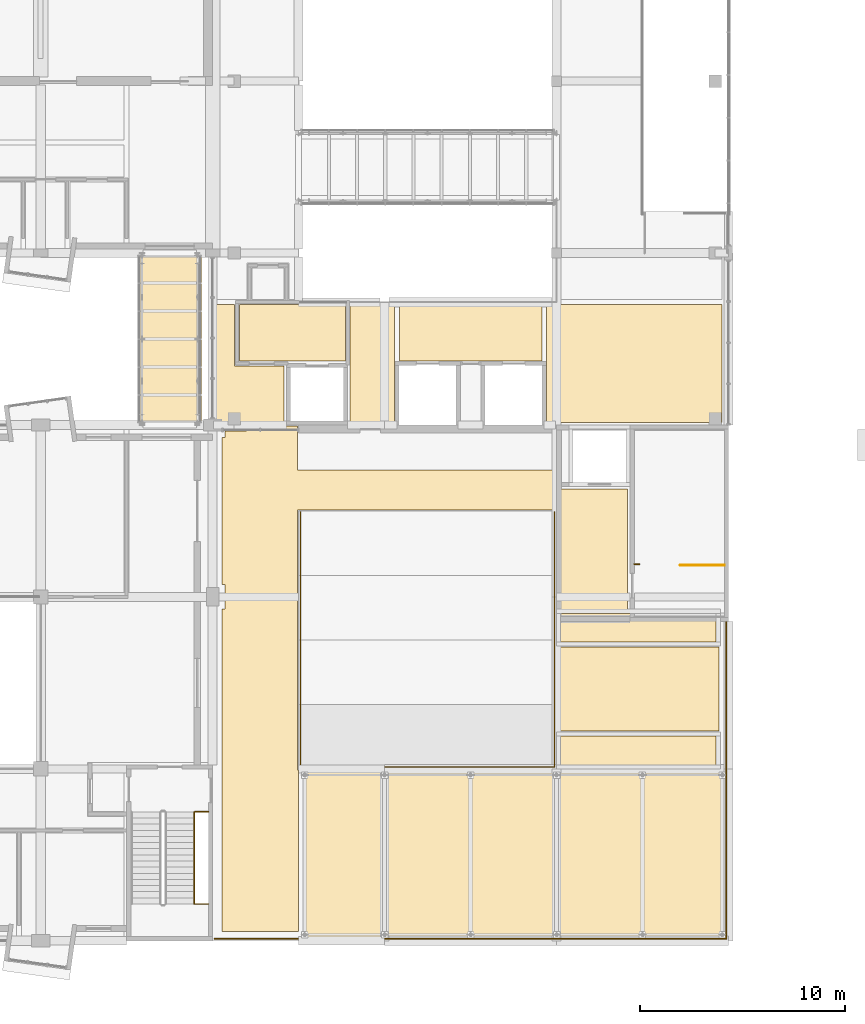
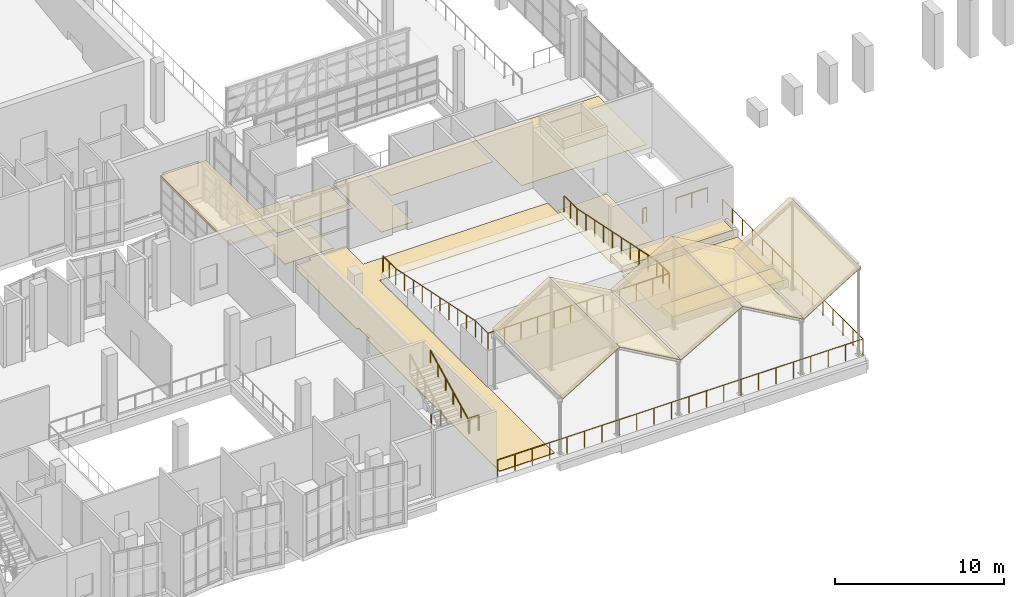
# One storey, part 61 of 67: 16 coverings, 7 railings.
"""IFC4 building model written with IfcOpenShell, lengths in metres."""

from ifc_helpers import new_model, si_unit, direction, frame, origin, origin_2d, place, context, subcontext, project, spatial, polyline, circle, outline, extrude, material, layer, layer_set, type_object, element, save


model = new_model("IFC4")

# Units and contexts
model_context = context("Model", 3, precision=1e-05, world=origin(), true_north=direction((0.0, 1.0)))
body_context = subcontext(model_context, "Body", "Model", "MODEL_VIEW")
ifc_project = project(units=[si_unit("LENGTHUNIT", "METRE"), si_unit("AREAUNIT", "SQUARE_METRE"), si_unit("VOLUMEUNIT", "CUBIC_METRE"), si_unit("PLANEANGLEUNIT", "RADIAN"), si_unit("MASSUNIT", "GRAM", prefix="KILO")], contexts=[model_context])

# Site, building, storey
site_placement = place(None, origin())
site = spatial("IfcSite", under=ifc_project, at=site_placement, CompositionType="ELEMENT")
building_placement = place(site_placement, origin())
building = spatial("IfcBuilding", under=site, at=building_placement, Name="Kiln Court Media Centre", CompositionType="ELEMENT")
storey_placement = place(building_placement, frame((0.0, 0.0, 19.800048828125)))
storey = spatial("IfcBuildingStorey", under=building, at=storey_placement, Name="L04", CompositionType="ELEMENT", Elevation=19.800048828125)

# Coverings
ifc_material_1 = material(Name="Steel ASTM A572 Gr 50 with insulated core", Category="steel")
ifc_layer_1 = layer(ifc_material_1, 0.14990234375)
ifc_layer_set_1 = layer_set([ifc_layer_1], Name="Insulated steel sandwich bridge roof 150")
covering_type_1 = type_object("IfcCoveringType", Name="Insulated steel sandwich bridge roof 150", PredefinedType="ROOFING", material=ifc_layer_set_1)
covering_1_placement = place(storey_placement, frame((0.0, 0.0, 2.675048828125)))
element("IfcCovering", 1, at=covering_1_placement, inside=storey, type_object=covering_type_1, Name="BR-2 roof", PredefinedType="ROOFING", context=body_context, shape_type="SweptSolid", body=[
    extrude(outline(polyline([(29.945068359375, 25.300048828125), (33.054931640625, 25.300048828125), (33.054931640625, 33.5), (29.945068359375, 33.5), (29.945068359375, 25.300048828125)])), origin(), (0.0, 0.0, 1.0), 0.14990234375),
])
ifc_material_2 = material(Name="Planting soil")
ifc_layer_2 = layer(ifc_material_2, 0.449951171875)
ifc_layer_set_2 = layer_set([ifc_layer_2], Name="Planting soil and planting 450")
covering_type_2 = type_object("IfcCoveringType", Name="Planting soil and planting 450", PredefinedType="USERDEFINED", material=ifc_layer_set_2)
covering_2_placement = place(storey_placement, origin())
element("IfcCovering", 2, at=covering_2_placement, inside=storey, type_object=covering_type_2, Name="PLANTER 1 soil and planting", ObjectType="PLANTING", PredefinedType="USERDEFINED", context=body_context, shape_type="SweptSolid", body=[
    extrude(outline(polyline([(50.60009765625, 8.60009765625), (58.199951171875, 8.60009765625), (58.199951171875, 10.0), (50.60009765625, 10.0), (50.60009765625, 8.60009765625)])), origin(), (0.0, 0.0, 1.0), 0.449951171875),
])
covering_3_placement = place(storey_placement, origin())
element("IfcCovering", 3, at=covering_3_placement, inside=storey, type_object=covering_type_2, Name="PLANTER 2 soil and planting", ObjectType="PLANTING", PredefinedType="USERDEFINED", context=body_context, shape_type="SweptSolid", body=[
    extrude(outline(polyline([(50.60009765625, 14.60009765625), (58.199951171875, 14.60009765625), (58.199951171875, 16.0), (50.60009765625, 16.0), (50.60009765625, 14.60009765625)])), origin(), (0.0, 0.0, 1.0), 0.449951171875),
])
ifc_material_3 = material(Name="Terrazzo")
ifc_layer_3 = layer(ifc_material_3, 0.02490234375)
ifc_layer_set_3 = layer_set([ifc_layer_3], Name="Polished terrazzo floor finish 25")
covering_type_3 = type_object("IfcCoveringType", Name="Polished terrazzo floor finish 25", PredefinedType="FLOORING", material=ifc_layer_set_3)
covering_4_placement = place(storey_placement, origin())
element("IfcCovering", 4, at=covering_4_placement, inside=storey, type_object=covering_type_3, Name="South Gallery West floor finish", PredefinedType="FLOORING", context=body_context, shape_type="SweptSolid", body=[
    extrude(outline(polyline([(37.080078125, 25.320068359375), (37.080078125, 28.080078125), (34.679931640625, 28.080078125), (34.679931640625, 31.080078125), (33.719970703125, 31.080078125), (33.719970703125, 25.320068359375), (37.080078125, 25.320068359375)])), origin(), (0.0, 0.0, 1.0), 0.02490234375),
])
covering_5_placement = place(storey_placement, origin())
element("IfcCovering", 5, at=covering_5_placement, inside=storey, type_object=covering_type_3, Name="South Gallery Link floor finish", PredefinedType="FLOORING", context=body_context, shape_type="SweptSolid", body=[
    extrude(outline(polyline([(40.320068359375, 25.320068359375), (42.47998046875, 25.320068359375), (42.47998046875, 31.080078125), (40.320068359375, 31.080078125), (40.320068359375, 25.320068359375)])), origin(), (0.0, 0.0, 1.0), 0.02490234375),
])
covering_6_placement = place(storey_placement, origin())
element("IfcCovering", 6, at=covering_6_placement, inside=storey, type_object=covering_type_3, Name="South Gallery East floor finish", PredefinedType="FLOORING", context=body_context, shape_type="SweptSolid", body=[
    extrude(outline(polyline([(49.919921875, 25.320068359375), (58.47998046875, 25.320068359375), (58.47998046875, 31.080078125), (49.919921875, 31.080078125), (49.919921875, 25.320068359375)])), origin(), (0.0, 0.0, 1.0), 0.02490234375),
])
covering_7_placement = place(storey_placement, origin())
element("IfcCovering", 7, at=covering_7_placement, inside=storey, type_object=covering_type_3, Name="Fire-fighting Lift Lobby floor finish", PredefinedType="FLOORING", context=body_context, shape_type="SweptSolid", body=[
    extrude(outline(polyline([(34.919921875, 28.320068359375), (40.080078125, 28.320068359375), (40.080078125, 31.080078125), (34.919921875, 31.080078125), (34.919921875, 28.320068359375)])), origin(), (0.0, 0.0, 1.0), 0.02490234375),
])
covering_8_placement = place(storey_placement, origin())
element("IfcCovering", 8, at=covering_8_placement, inside=storey, type_object=covering_type_3, Name="Glass Lift Landing floor finish", PredefinedType="FLOORING", context=body_context, shape_type="SweptSolid", body=[
    extrude(outline(polyline([(42.719970703125, 28.320068359375), (49.679931640625, 28.320068359375), (49.679931640625, 31.080078125), (42.719970703125, 31.080078125), (42.719970703125, 28.320068359375)])), origin(), (0.0, 0.0, 1.0), 0.02490234375),
])
covering_9_placement = place(storey_placement, origin())
element("IfcCovering", 9, at=covering_9_placement, inside=storey, type_object=covering_type_3, Name="Terrace Head House Lobby floor finish", PredefinedType="FLOORING", context=body_context, shape_type="SweptSolid", body=[
    extrude(outline(polyline([(50.52001953125, 15.719970703125), (53.8798828125, 15.719970703125), (53.8798828125, 22.080078125), (50.52001953125, 22.080078125), (50.52001953125, 15.719970703125)])), origin(), (0.0, 0.0, 1.0), 0.02490234375),
])
ifc_material_4 = material(Name="Aluminium 3004 H34", Category="aluminium")
ifc_layer_4 = layer(ifc_material_4, 0.0400390625)
ifc_layer_set_4 = layer_set([ifc_layer_4], Name="Standing-seam aluminium roof panel 40")
covering_type_4 = type_object("IfcCoveringType", Name="Standing-seam aluminium roof panel 40", PredefinedType="ROOFING", material=ifc_layer_set_4)
covering_10_placement = place(storey_placement, frame((38.10009765625, 0.0, 4.100341796875), z_axis=(-0.524091476281, 0.0, 0.851661977835), x_axis=(0.851661977835, 0.0, 0.524091476281)))
element("IfcCovering", 10, at=covering_10_placement, inside=storey, type_object=covering_type_4, Name="V3 pavilion roof panel 1", PredefinedType="ROOFING", context=body_context, shape_type="SweptSolid", body=[
    extrude(outline(polyline([(0.0, 0.0), (4.5791669057071385, 0.0), (4.5791669057071385, 8.39990234375), (0.0, 8.39990234375), (0.0, 0.0)])), origin(), (0.0, 0.0, -1.0), 0.0400390625),
])
for number, where, z_axis, x_axis, name in (
    (11, (42.0, 0.0, 6.495361328125), (0.496128067682, 0.0, 0.868249353848), (0.868249353848, 0.0, -0.496128067682), "V3 pavilion roof panel 2"),
    (12, (46.199951171875, 0.0, 4.095458984375), (-0.496128067682, 0.0, 0.868249353848), (0.868249353848, 0.0, 0.496128067682), "V3 pavilion roof panel 3"),
):
    element("IfcCovering", number, at=place(storey_placement, frame(where, z_axis=z_axis, x_axis=x_axis)), inside=storey, type_object=covering_type_4, Name=name, PredefinedType="ROOFING", context=body_context, shape_type="SweptSolid", body=[
        extrude(outline(polyline([(0.0, 0.0), (4.837263803605395, 0.0), (4.837263803605395, 8.39990234375), (0.0, 8.39990234375), (0.0, 0.0)])), origin(), (0.0, 0.0, -1.0), 0.0400390625),
    ])
covering_11_placement = place(storey_placement, frame((50.39990234375, 0.0, 6.495361328125), z_axis=(0.496106327528, 0.0, 0.868261776072), x_axis=(0.868261776072, 0.0, -0.496106327528)))
element("IfcCovering", 13, at=covering_11_placement, inside=storey, type_object=covering_type_4, Name="V3 pavilion roof panel 4", PredefinedType="ROOFING", context=body_context, shape_type="SweptSolid", body=[
    extrude(outline(polyline([(0.0, 0.0), (4.837475780061717, 0.0), (4.837475780061717, 8.39990234375), (0.0, 8.39990234375), (0.0, 0.0)])), origin(), (0.0, 0.0, -1.0), 0.0400390625),
])
covering_12_placement = place(storey_placement, frame((54.60009765625, 0.0, 4.100341796875), z_axis=(-0.524091476281, 0.0, 0.851661977835), x_axis=(0.851661977835, 0.0, 0.524091476281)))
element("IfcCovering", 14, at=covering_12_placement, inside=storey, type_object=covering_type_4, Name="V3 pavilion roof panel 5", PredefinedType="ROOFING", context=body_context, shape_type="SweptSolid", body=[
    extrude(outline(polyline([(0.0, 0.0), (4.5791669057071385, 0.0), (4.5791669057071385, 8.39990234375), (0.0, 8.39990234375), (0.0, 0.0)])), origin(), (0.0, 0.0, -1.0), 0.0400390625),
])

# Railings
ifc_material_5 = material(Name="Steel ASTM A572 Gr 50", Category="steel")
railing_type_1 = type_object("IfcRailingType", Name="Steel ASTM A572 Gr 50 and glass guard 1200", PredefinedType="GUARDRAIL", material=ifc_material_5)
railing_1_placement = place(storey_placement, frame((33.699951171875, 0.10009765625, 0.0)))
element("IfcRailing", 15, at=railing_1_placement, inside=storey, type_object=railing_type_1, Name="V6B terrace edge guard", PredefinedType="GUARDRAIL", context=body_context, shape_type="SweptSolid", body=[
    extrude(circle(Radius=0.02490234375, at=origin_2d()), frame((0.0, 0.0, 1.1748046875), z_axis=(1.0, 0.0, 0.0), x_axis=(0.0, 1.0, 0.0)), (0.0, 0.0, 1.0), 25.0),
    extrude(circle(Radius=0.02490234375, at=origin_2d()), frame((25.0, 0.0, 1.1748046875), z_axis=(0.0, 1.0, 0.0), x_axis=(-1.0, 0.0, 0.0)), (0.0, 0.0, 1.0), 16.64990234375),
    extrude(circle(Radius=0.02490234375, at=origin_2d()), origin(), (0.0, 0.0, 1.0), 1.14990234375),
    extrude(circle(Radius=0.02490234375, at=origin_2d()), frame((1.1904296875, 0.0, 0.0)), (0.0, 0.0, 1.0), 1.14990234375),
    extrude(circle(Radius=0.02490234375, at=origin_2d()), frame((2.380859375, 0.0, 0.0)), (0.0, 0.0, 1.0), 1.14990234375),
    extrude(circle(Radius=0.02490234375, at=origin_2d()), frame((3.571533203125, 0.0, 0.0)), (0.0, 0.0, 1.0), 1.14990234375),
    extrude(circle(Radius=0.02490234375, at=origin_2d()), frame((4.761962890625, 0.0, 0.0)), (0.0, 0.0, 1.0), 1.14990234375),
    extrude(circle(Radius=0.02490234375, at=origin_2d()), frame((5.952392578125, 0.0, 0.0)), (0.0, 0.0, 1.0), 1.14990234375),
    extrude(circle(Radius=0.02490234375, at=origin_2d()), frame((7.142822265625, 0.0, 0.0)), (0.0, 0.0, 1.0), 1.14990234375),
    extrude(circle(Radius=0.02490234375, at=origin_2d()), frame((8.333251953125, 0.0, 0.0)), (0.0, 0.0, 1.0), 1.14990234375),
    extrude(circle(Radius=0.02490234375, at=origin_2d()), frame((9.52392578125, 0.0, 0.0)), (0.0, 0.0, 1.0), 1.14990234375),
    extrude(circle(Radius=0.02490234375, at=origin_2d()), frame((10.71435546875, 0.0, 0.0)), (0.0, 0.0, 1.0), 1.14990234375),
    extrude(circle(Radius=0.02490234375, at=origin_2d()), frame((11.90478515625, 0.0, 0.0)), (0.0, 0.0, 1.0), 1.14990234375),
    extrude(circle(Radius=0.02490234375, at=origin_2d()), frame((13.09521484375, 0.0, 0.0)), (0.0, 0.0, 1.0), 1.14990234375),
    extrude(circle(Radius=0.02490234375, at=origin_2d()), frame((14.28564453125, 0.0, 0.0)), (0.0, 0.0, 1.0), 1.14990234375),
    extrude(circle(Radius=0.02490234375, at=origin_2d()), frame((15.47607421875, 0.0, 0.0)), (0.0, 0.0, 1.0), 1.14990234375),
    extrude(circle(Radius=0.02490234375, at=origin_2d()), frame((16.666748046875, 0.0, 0.0)), (0.0, 0.0, 1.0), 1.14990234375),
    extrude(circle(Radius=0.02490234375, at=origin_2d()), frame((17.857177734375, 0.0, 0.0)), (0.0, 0.0, 1.0), 1.14990234375),
    extrude(circle(Radius=0.02490234375, at=origin_2d()), frame((19.047607421875, 0.0, 0.0)), (0.0, 0.0, 1.0), 1.14990234375),
    extrude(circle(Radius=0.02490234375, at=origin_2d()), frame((20.238037109375, 0.0, 0.0)), (0.0, 0.0, 1.0), 1.14990234375),
    extrude(circle(Radius=0.02490234375, at=origin_2d()), frame((21.428466796875, 0.0, 0.0)), (0.0, 0.0, 1.0), 1.14990234375),
    extrude(circle(Radius=0.02490234375, at=origin_2d()), frame((22.619140625, 0.0, 0.0)), (0.0, 0.0, 1.0), 1.14990234375),
    extrude(circle(Radius=0.02490234375, at=origin_2d()), frame((23.8095703125, 0.0, 0.0)), (0.0, 0.0, 1.0), 1.14990234375),
    extrude(circle(Radius=0.02490234375, at=origin_2d()), frame((25.0, 0.0, 0.0)), (0.0, 0.0, 1.0), 1.14990234375),
    extrude(circle(Radius=0.02490234375, at=origin_2d()), frame((25.0, 1.189208984375, 0.0)), (0.0, 0.0, 1.0), 1.14990234375),
    extrude(circle(Radius=0.02490234375, at=origin_2d()), frame((25.0, 2.378662109375, 0.0)), (0.0, 0.0, 1.0), 1.14990234375),
    extrude(circle(Radius=0.02490234375, at=origin_2d()), frame((25.0, 3.56787109375, 0.0)), (0.0, 0.0, 1.0), 1.14990234375),
    extrude(circle(Radius=0.02490234375, at=origin_2d()), frame((25.0, 4.757080078125, 0.0)), (0.0, 0.0, 1.0), 1.14990234375),
    extrude(circle(Radius=0.02490234375, at=origin_2d()), frame((25.0, 5.9462890625, 0.0)), (0.0, 0.0, 1.0), 1.14990234375),
    extrude(circle(Radius=0.02490234375, at=origin_2d()), frame((25.0, 7.1357421875, 0.0)), (0.0, 0.0, 1.0), 1.14990234375),
    extrude(circle(Radius=0.02490234375, at=origin_2d()), frame((25.0, 8.324951171875, 0.0)), (0.0, 0.0, 1.0), 1.14990234375),
    extrude(circle(Radius=0.02490234375, at=origin_2d()), frame((25.0, 9.51416015625, 0.0)), (0.0, 0.0, 1.0), 1.14990234375),
    extrude(circle(Radius=0.02490234375, at=origin_2d()), frame((25.0, 10.70361328125, 0.0)), (0.0, 0.0, 1.0), 1.14990234375),
    extrude(circle(Radius=0.02490234375, at=origin_2d()), frame((25.0, 11.892822265625, 0.0)), (0.0, 0.0, 1.0), 1.14990234375),
    extrude(circle(Radius=0.02490234375, at=origin_2d()), frame((25.0, 13.08203125, 0.0)), (0.0, 0.0, 1.0), 1.14990234375),
    extrude(circle(Radius=0.02490234375, at=origin_2d()), frame((25.0, 14.271240234375, 0.0)), (0.0, 0.0, 1.0), 1.14990234375),
    extrude(circle(Radius=0.02490234375, at=origin_2d()), frame((25.0, 15.460693359375, 0.0)), (0.0, 0.0, 1.0), 1.14990234375),
    extrude(circle(Radius=0.02490234375, at=origin_2d()), frame((25.0, 16.64990234375, 0.0)), (0.0, 0.0, 1.0), 1.14990234375),
])
ifc_material_6 = material(Name="Steel ASTM A572 Gr 50", Category="steel")
railing_type_2 = type_object("IfcRailingType", Name="Steel ASTM A572 Gr 50 and glass tier guard 1200", PredefinedType="GUARDRAIL", material=ifc_material_6)
railing_2_placement = place(storey_placement, frame((37.89990234375, 20.949951171875, 0.64990234375)))
element("IfcRailing", 16, at=railing_2_placement, inside=storey, type_object=railing_type_2, Name="Seating tier guard", PredefinedType="GUARDRAIL", context=body_context, shape_type="SweptSolid", body=[
    extrude(circle(Radius=0.02490234375, at=origin_2d()), frame((0.0, 0.0, 1.1748046875), z_axis=(0.0, -1.0, 0.0), x_axis=(1.0, 0.0, 0.0)), (0.0, 0.0, 1.0), 1.52490234375),
    extrude(circle(Radius=0.02490234375, at=origin_2d()), frame((0.0, -1.52490234375, 1.1748046875), z_axis=(0.0, -0.979359484991, 0.20212619612), x_axis=(1.0, 0.0, 0.0)), (0.0, 0.0, 1.0), 3.216552734375),
    extrude(circle(Radius=0.02490234375, at=origin_2d()), frame((0.0, -4.675048828125, 1.8251953125), z_axis=(0.0, -0.979371408451, 0.20206841492), x_axis=(1.0, 0.0, 0.0)), (0.0, 0.0, 1.0), 3.21630859375),
    extrude(circle(Radius=0.02490234375, at=origin_2d()), frame((0.0, -7.824951171875, 2.47509765625), z_axis=(0.0, -0.979371408451, 0.20206841492), x_axis=(1.0, 0.0, 0.0)), (0.0, 0.0, 1.0), 3.21630859375),
    extrude(circle(Radius=0.02490234375, at=origin_2d()), frame((0.0, -10.974853515625, 3.125), z_axis=(0.0, -1.0, 0.0), x_axis=(1.0, 0.0, 0.0)), (0.0, 0.0, 1.0), 1.47509765625),
    extrude(circle(Radius=0.02490234375, at=origin_2d()), frame((0.0, -12.449951171875, 3.125), z_axis=(1.0, 0.0, 0.0), x_axis=(0.0, 1.0, 0.0)), (0.0, 0.0, 1.0), 12.400146484375),
    extrude(circle(Radius=0.02490234375, at=origin_2d()), frame((12.400146484375, -12.449951171875, 3.125), z_axis=(0.0, 1.0, 0.0), x_axis=(-1.0, 0.0, 0.0)), (0.0, 0.0, 1.0), 1.47509765625),
    extrude(circle(Radius=0.02490234375, at=origin_2d()), frame((12.400146484375, -10.974853515625, 3.125), z_axis=(0.0, 0.979371408451, -0.20206841492), x_axis=(-1.0, 0.0, 0.0)), (0.0, 0.0, 1.0), 3.21630859375),
    extrude(circle(Radius=0.02490234375, at=origin_2d()), frame((12.400146484375, -7.824951171875, 2.47509765625), z_axis=(0.0, 0.979371408451, -0.20206841492), x_axis=(-1.0, 0.0, 0.0)), (0.0, 0.0, 1.0), 3.21630859375),
    extrude(circle(Radius=0.02490234375, at=origin_2d()), frame((12.400146484375, -4.675048828125, 1.8251953125), z_axis=(0.0, 0.979359484991, -0.20212619612), x_axis=(-1.0, 0.0, 0.0)), (0.0, 0.0, 1.0), 3.216552734375),
    extrude(circle(Radius=0.02490234375, at=origin_2d()), frame((12.400146484375, -1.52490234375, 1.1748046875), z_axis=(0.0, 1.0, 0.0), x_axis=(-1.0, 0.0, 0.0)), (0.0, 0.0, 1.0), 1.52490234375),
    extrude(circle(Radius=0.02490234375, at=origin_2d()), origin(), (0.0, 0.0, 1.0), 1.14990234375),
    extrude(circle(Radius=0.02490234375, at=origin_2d()), frame((0.0, -0.762451171875, 0.0)), (0.0, 0.0, 1.0), 1.14990234375),
    extrude(circle(Radius=0.02490234375, at=origin_2d()), frame((0.0, -1.52490234375, 0.0)), (0.0, 0.0, 1.0), 1.14990234375),
    extrude(circle(Radius=0.02490234375, at=origin_2d()), frame((0.0, -2.574951171875, 0.216796875)), (0.0, 0.0, 1.0), 1.14990234375),
    extrude(circle(Radius=0.02490234375, at=origin_2d()), frame((0.0, -3.625, 0.433349609375)), (0.0, 0.0, 1.0), 1.14990234375),
    extrude(circle(Radius=0.02490234375, at=origin_2d()), frame((0.0, -4.675048828125, 0.650146484375)), (0.0, 0.0, 1.0), 1.14990234375),
    extrude(circle(Radius=0.02490234375, at=origin_2d()), frame((0.0, -5.72509765625, 0.86669921875)), (0.0, 0.0, 1.0), 1.14990234375),
    extrude(circle(Radius=0.02490234375, at=origin_2d()), frame((0.0, -6.77490234375, 1.08349609375)), (0.0, 0.0, 1.0), 1.14990234375),
    extrude(circle(Radius=0.02490234375, at=origin_2d()), frame((0.0, -7.824951171875, 1.300048828125)), (0.0, 0.0, 1.0), 1.14990234375),
    extrude(circle(Radius=0.02490234375, at=origin_2d()), frame((0.0, -8.875, 1.5166015625)), (0.0, 0.0, 1.0), 1.14990234375),
    extrude(circle(Radius=0.02490234375, at=origin_2d()), frame((0.0, -9.9248046875, 1.7333984375)), (0.0, 0.0, 1.0), 1.14990234375),
    extrude(circle(Radius=0.02490234375, at=origin_2d()), frame((0.0, -10.974853515625, 1.949951171875)), (0.0, 0.0, 1.0), 1.14990234375),
    extrude(circle(Radius=0.02490234375, at=origin_2d()), frame((0.0, -11.71240234375, 1.949951171875)), (0.0, 0.0, 1.0), 1.14990234375),
    extrude(circle(Radius=0.02490234375, at=origin_2d()), frame((0.0, -12.449951171875, 1.949951171875)), (0.0, 0.0, 1.0), 1.14990234375),
    extrude(circle(Radius=0.02490234375, at=origin_2d()), frame((1.127197265625, -12.449951171875, 1.949951171875)), (0.0, 0.0, 1.0), 1.14990234375),
    extrude(circle(Radius=0.02490234375, at=origin_2d()), frame((2.254638671875, -12.449951171875, 1.949951171875)), (0.0, 0.0, 1.0), 1.14990234375),
    extrude(circle(Radius=0.02490234375, at=origin_2d()), frame((3.3818359375, -12.449951171875, 1.949951171875)), (0.0, 0.0, 1.0), 1.14990234375),
    extrude(circle(Radius=0.02490234375, at=origin_2d()), frame((4.509033203125, -12.449951171875, 1.949951171875)), (0.0, 0.0, 1.0), 1.14990234375),
    extrude(circle(Radius=0.02490234375, at=origin_2d()), frame((5.636474609375, -12.449951171875, 1.949951171875)), (0.0, 0.0, 1.0), 1.14990234375),
    extrude(circle(Radius=0.02490234375, at=origin_2d()), frame((6.763671875, -12.449951171875, 1.949951171875)), (0.0, 0.0, 1.0), 1.14990234375),
    extrude(circle(Radius=0.02490234375, at=origin_2d()), frame((7.89111328125, -12.449951171875, 1.949951171875)), (0.0, 0.0, 1.0), 1.14990234375),
    extrude(circle(Radius=0.02490234375, at=origin_2d()), frame((9.018310546875, -12.449951171875, 1.949951171875)), (0.0, 0.0, 1.0), 1.14990234375),
    extrude(circle(Radius=0.02490234375, at=origin_2d()), frame((10.1455078125, -12.449951171875, 1.949951171875)), (0.0, 0.0, 1.0), 1.14990234375),
    extrude(circle(Radius=0.02490234375, at=origin_2d()), frame((11.27294921875, -12.449951171875, 1.949951171875)), (0.0, 0.0, 1.0), 1.14990234375),
    extrude(circle(Radius=0.02490234375, at=origin_2d()), frame((12.400146484375, -12.449951171875, 1.949951171875)), (0.0, 0.0, 1.0), 1.14990234375),
    extrude(circle(Radius=0.02490234375, at=origin_2d()), frame((12.400146484375, -11.71240234375, 1.949951171875)), (0.0, 0.0, 1.0), 1.14990234375),
    extrude(circle(Radius=0.02490234375, at=origin_2d()), frame((12.400146484375, -10.974853515625, 1.949951171875)), (0.0, 0.0, 1.0), 1.14990234375),
    extrude(circle(Radius=0.02490234375, at=origin_2d()), frame((12.400146484375, -9.9248046875, 1.7333984375)), (0.0, 0.0, 1.0), 1.14990234375),
    extrude(circle(Radius=0.02490234375, at=origin_2d()), frame((12.400146484375, -8.875, 1.5166015625)), (0.0, 0.0, 1.0), 1.14990234375),
    extrude(circle(Radius=0.02490234375, at=origin_2d()), frame((12.400146484375, -7.824951171875, 1.300048828125)), (0.0, 0.0, 1.0), 1.14990234375),
    extrude(circle(Radius=0.02490234375, at=origin_2d()), frame((12.400146484375, -6.77490234375, 1.08349609375)), (0.0, 0.0, 1.0), 1.14990234375),
    extrude(circle(Radius=0.02490234375, at=origin_2d()), frame((12.400146484375, -5.72509765625, 0.86669921875)), (0.0, 0.0, 1.0), 1.14990234375),
    extrude(circle(Radius=0.02490234375, at=origin_2d()), frame((12.400146484375, -4.675048828125, 0.650146484375)), (0.0, 0.0, 1.0), 1.14990234375),
    extrude(circle(Radius=0.02490234375, at=origin_2d()), frame((12.400146484375, -3.625, 0.433349609375)), (0.0, 0.0, 1.0), 1.14990234375),
    extrude(circle(Radius=0.02490234375, at=origin_2d()), frame((12.400146484375, -2.574951171875, 0.216796875)), (0.0, 0.0, 1.0), 1.14990234375),
    extrude(circle(Radius=0.02490234375, at=origin_2d()), frame((12.400146484375, -1.52490234375, 0.0)), (0.0, 0.0, 1.0), 1.14990234375),
    extrude(circle(Radius=0.02490234375, at=origin_2d()), frame((12.400146484375, -0.762451171875, 0.0)), (0.0, 0.0, 1.0), 1.14990234375),
    extrude(circle(Radius=0.02490234375, at=origin_2d()), frame((12.400146484375, 0.0, 0.0)), (0.0, 0.0, 1.0), 1.14990234375),
])
ifc_material_7 = material(Name="Steel S275", Category="steel")
railing_type_3 = type_object("IfcRailingType", Name="Steel S275 stair guard 1100", PredefinedType="GUARDRAIL", material=ifc_material_7)
for number, where, name in (
    (17, (32.75, 1.800048828125, 2.39990234375), "ST-03 landing edge guard"),
    (18, (32.75, 6.300048828125, 0.0), "ST-03 landing edge guard"),
):
    element("IfcRailing", number, at=place(storey_placement, frame(where)), inside=storey, type_object=railing_type_3, Name=name, PredefinedType="GUARDRAIL", context=body_context, shape_type="SweptSolid", body=[
        extrude(circle(Radius=0.02392578125, at=origin_2d()), frame((0.0, 0.0, 1.076171875), z_axis=(1.0, 0.0, 0.0), x_axis=(0.0, 1.0, 0.0)), (0.0, 0.0, 1.0), 0.64990234375),
        extrude(circle(Radius=0.02099609375, at=origin_2d()), origin(), (0.0, 0.0, 1.0), 1.052001953125),
        extrude(circle(Radius=0.02099609375, at=origin_2d()), frame((0.64990234375, 0.0, 0.0)), (0.0, 0.0, 1.0), 1.052001953125),
    ])
railing_3_placement = place(storey_placement, frame((54.449951171875, 18.39990234375, 0.0)))
element("IfcRailing", 19, at=railing_3_placement, inside=storey, type_object=railing_type_3, Name="ST-05 landing edge guard", PredefinedType="GUARDRAIL", context=body_context, shape_type="SweptSolid", body=[
    extrude(circle(Radius=0.02392578125, at=origin_2d()), frame((0.0, 0.0, 1.076171875), z_axis=(-1.0, 0.0, 0.0), x_axis=(0.0, -1.0, 0.0)), (0.0, 0.0, 1.0), 0.25),
    extrude(circle(Radius=0.02099609375, at=origin_2d()), origin(), (0.0, 0.0, 1.0), 1.052001953125),
    extrude(circle(Radius=0.02099609375, at=origin_2d()), frame((-0.25, 0.0, 0.0)), (0.0, 0.0, 1.0), 1.052001953125),
])
railing_4_placement = place(storey_placement, frame((58.60009765625, 18.35009765625, 0.0)))
element("IfcRailing", 20, at=railing_4_placement, inside=storey, type_object=railing_type_3, Name="ST-05 top floor guard", PredefinedType="GUARDRAIL", context=body_context, shape_type="SweptSolid", body=[
    extrude(circle(Radius=0.02392578125, at=origin_2d()), frame((0.0, 0.0, 1.076171875), z_axis=(-1.0, 0.0, 0.0), x_axis=(0.0, -1.0, 0.0)), (0.0, 0.0, 1.0), 2.150146484375),
    extrude(circle(Radius=0.02099609375, at=origin_2d()), origin(), (0.0, 0.0, 1.0), 1.052001953125),
    extrude(circle(Radius=0.02099609375, at=origin_2d()), frame((-1.0751953125, 0.0, 0.0)), (0.0, 0.0, 1.0), 1.052001953125),
    extrude(circle(Radius=0.02099609375, at=origin_2d()), frame((-2.150146484375, 0.0, 0.0)), (0.0, 0.0, 1.0), 1.052001953125),
])
ifc_material_8 = material(Name="Steel S275", Category="steel")
railing_type_4 = type_object("IfcRailingType", Name="Steel S275 stair handrail 900", PredefinedType="HANDRAIL", material=ifc_material_8)
railing_5_placement = place(storey_placement, frame((32.699951171875, 1.800048828125, 2.550048828125)))
element("IfcRailing", 21, at=railing_5_placement, inside=storey, type_object=railing_type_4, Name="ST-03 stair handrail", PredefinedType="HANDRAIL", context=body_context, shape_type="SweptSolid", body=[
    extrude(circle(Radius=0.02392578125, at=origin_2d()), frame((0.0, 0.0, 0.8759765625), z_axis=(0.0, 0.894427191, 0.4472135955), x_axis=(-1.0, 0.0, 0.0)), (0.0, 0.0, 1.0), 5.03125),
    extrude(circle(Radius=0.02099609375, at=origin_2d()), origin(), (0.0, 0.0, 1.0), 0.851806640625),
    extrude(circle(Radius=0.02099609375, at=origin_2d()), frame((0.0, 0.89990234375, 0.449951171875)), (0.0, 0.0, 1.0), 0.851806640625),
    extrude(circle(Radius=0.02099609375, at=origin_2d()), frame((0.0, 1.800048828125, 0.89990234375)), (0.0, 0.0, 1.0), 0.851806640625),
    extrude(circle(Radius=0.02099609375, at=origin_2d()), frame((0.0, 2.699951171875, 1.35009765625)), (0.0, 0.0, 1.0), 0.851806640625),
    extrude(circle(Radius=0.02099609375, at=origin_2d()), frame((0.0, 3.60009765625, 1.800048828125)), (0.0, 0.0, 1.0), 0.851806640625),
    extrude(circle(Radius=0.02099609375, at=origin_2d()), frame((0.0, 4.5, 2.25)), (0.0, 0.0, 1.0), 0.851806640625),
])

# Coverings
ifc_material_9 = material(Name="Natural stone paving", Category="masonry")
ifc_layer_5 = layer(ifc_material_9, 0.0400390625)
ifc_layer_set_5 = layer_set([ifc_layer_5], Name="Stone paving on pedestals 40")
covering_type_5 = type_object("IfcCoveringType", Name="Stone paving on pedestals 40", PredefinedType="FLOORING", material=ifc_layer_set_5)
covering_13_placement = place(storey_placement, origin())
element("IfcCovering", 22, at=covering_13_placement, inside=storey, type_object=covering_type_5, Name="Terrace paving", PredefinedType="FLOORING", context=body_context, shape_type="SweptSolid", body=[
    extrude(outline(polyline([(58.35009765625, 10.25), (50.449951171875, 10.25), (50.449951171875, 11.5), (50.449951171875, 11.60009765625), (50.449951171875, 14.35009765625), (58.35009765625, 14.35009765625), (58.35009765625, 10.25)])), origin(), (0.0, 0.0, 1.0), 0.0400390625),
])
covering_14_placement = place(storey_placement, origin())
element("IfcCovering", 23, at=covering_14_placement, inside=storey, type_object=covering_type_5, Name="Terrace paving", PredefinedType="FLOORING", context=body_context, shape_type="SweptSolid", body=[
    extrude(outline(polyline([(37.75, 25.14990234375), (37.75, 23.0), (50.349853515625, 23.0), (50.349853515625, 21.050048828125), (37.75, 21.050048828125), (37.75, 17.89990234375), (37.75, 17.800048828125), (37.75, 14.75), (37.75, 14.64990234375), (37.75, 11.60009765625), (37.75, 11.5), (37.75, 8.35009765625), (37.800048828125, 8.35009765625), (37.800048828125, 0.449951171875), (34.050048828125, 0.449951171875), (34.050048828125, 16.199951171875), (34.199951171875, 16.199951171875), (34.199951171875, 17.39990234375), (34.050048828125, 17.39990234375), (34.050048828125, 24.60009765625), (34.199951171875, 24.60009765625), (34.199951171875, 24.89990234375), (35.25, 24.89990234375), (35.25, 25.14990234375), (37.75, 25.14990234375)])), origin(), (0.0, 0.0, 1.0), 0.0400390625),
])

save(model, "model.ifc")
